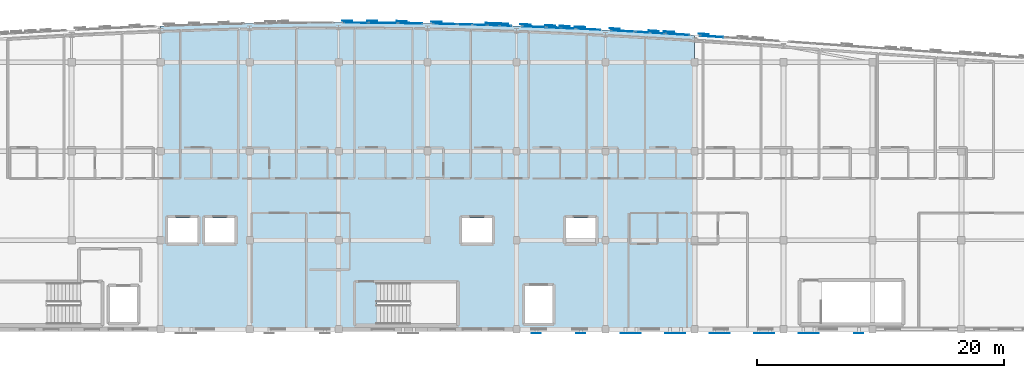
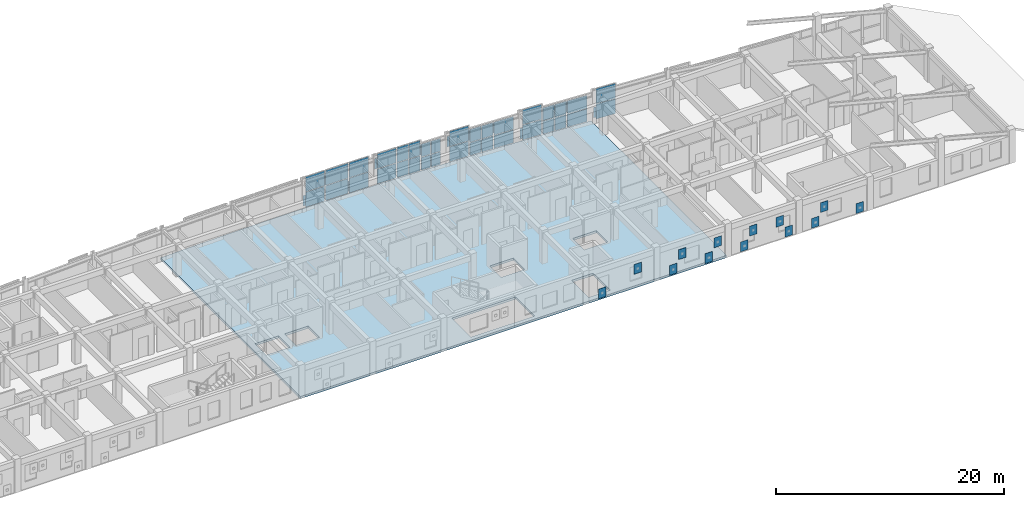
# One storey, part 31 of 45: 61 plates, 1 slab, 13 elements without a shape of their own.
"""IFC4 building model written with IfcOpenShell, lengths in metres."""

from ifc_helpers import new_model, si_unit, direction, frame, origin, origin_2d, place, context, subcontext, project, spatial, polyline, rectangle, outline, extrude, material, layer, layer_set, type_object, element, aggregate, save


model = new_model("IFC4")

# Units and contexts
model_context = context("Model", 3, precision=1e-05, world=origin(), true_north=direction((0.0, 1.0)))
body_context = subcontext(model_context, "Body", "Model", "MODEL_VIEW")
ifc_project = project(units=[si_unit("LENGTHUNIT", "METRE"), si_unit("AREAUNIT", "SQUARE_METRE"), si_unit("VOLUMEUNIT", "CUBIC_METRE"), si_unit("PLANEANGLEUNIT", "RADIAN"), si_unit("MASSUNIT", "GRAM", prefix="KILO")], contexts=[model_context])

# Site, building, storey
site_placement = place(None, origin())
site = spatial("IfcSite", under=ifc_project, at=site_placement, CompositionType="ELEMENT")
building_placement = place(site_placement, origin())
building = spatial("IfcBuilding", under=site, at=building_placement, Name="Carrowvane Square Congress Hotel", CompositionType="ELEMENT")
storey_placement = place(building_placement, frame((0.0, 0.0, 33.60009765625)))
storey = spatial("IfcBuildingStorey", under=building, at=storey_placement, Name="L08", CompositionType="ELEMENT", Elevation=33.60009765625)

# Curtain wall, plates
ifc_material_1 = material(Name="Anodised aluminium", Category="aluminium")
ifc_layer_1 = layer(ifc_material_1, 0.221923828125)
ifc_layer_set_1 = layer_set([ifc_layer_1], Name="Anodised aluminium")
curtain_wall_type_1 = type_object("IfcCurtainWallType", Name="CW-SYS-6", PredefinedType="NOTDEFINED", material=ifc_layer_set_1)
curtain_wall_1_placement = place(storey_placement, origin())
curtain_wall_1 = element("IfcCurtainWall", 1, at=curtain_wall_1_placement, inside=storey, type_object=curtain_wall_type_1, Name="L08 unitised curtain wall 485", PredefinedType="NOTDEFINED")
ifc_material_2 = material(Name="Double-glazed low-E glass", Category="glass")
ifc_layer_2 = layer(ifc_material_2, 0.028076171875)
ifc_layer_set_2 = layer_set([ifc_layer_2], Name="Double-glazed low-E glass")
plate_type_1 = type_object("IfcPlateType", Name="CW-PAN-1", PredefinedType="CURTAIN_PANEL", material=ifc_layer_set_2)
plate_1_placement = place(storey_placement, frame((106.59619140625, 116.498291015625, 0.06982421875), z_axis=(0.0, 0.0, 1.0), x_axis=(0.99974644475, -0.022517686606, 0.0)))
plate_1 = element("IfcPlate", 2, at=plate_1_placement, type_object=plate_type_1, Name="CW-6 panel 1.1", PredefinedType="CURTAIN_PANEL", context=body_context, shape_type="SweptSolid", body=[
    extrude(rectangle(XDim=1.8681640625, YDim=0.028076171875, at=origin_2d()), origin(), (0.0, 0.0, 1.0), 1.574951171875),
])
plate_2_placement = place(storey_placement, frame((106.59619140625, 116.498291015625, 1.71484375), z_axis=(0.0, 0.0, 1.0), x_axis=(0.99974644475, -0.022517686606, 0.0)))
plate_2 = element("IfcPlate", 3, at=plate_2_placement, type_object=plate_type_1, Name="CW-6 panel 1.2", PredefinedType="CURTAIN_PANEL", context=body_context, shape_type="SweptSolid", body=[
    extrude(rectangle(XDim=1.8681640625, YDim=0.028076171875, at=origin_2d()), origin(), (0.0, 0.0, 1.0), 1.574951171875),
])
aggregate(curtain_wall_1, [plate_1, plate_2])

ifc_material_3 = material(Name="Anodised aluminium", Category="aluminium")
ifc_layer_3 = layer(ifc_material_3, 0.18603515625)
ifc_layer_set_3 = layer_set([ifc_layer_3], Name="Anodised aluminium")
curtain_wall_type_2 = type_object("IfcCurtainWallType", Name="CW-SYS-3", PredefinedType="NOTDEFINED", material=ifc_layer_set_3)
curtain_wall_2_placement = place(storey_placement, origin())
curtain_wall_2 = element("IfcCurtainWall", 4, at=curtain_wall_2_placement, inside=storey, type_object=curtain_wall_type_2, Name="L08 unitised curtain wall 490", PredefinedType="NOTDEFINED")
plate_3_placement = place(storey_placement, frame((118.2177734375, 116.067138671875, 0.06005859375), z_axis=(0.0, 0.0, 1.0), x_axis=(0.998732955299, -0.050323791596, 0.0)))
plate_3 = element("IfcPlate", 5, at=plate_3_placement, type_object=plate_type_1, Name="CW-3 panel 1.1", PredefinedType="CURTAIN_PANEL", context=body_context, shape_type="SweptSolid", body=[
    extrude(rectangle(XDim=1.91796875, YDim=0.028076171875, at=origin_2d()), origin(), (0.0, 0.0, 1.0), 1.377685546875),
])
plate_4_placement = place(storey_placement, frame((118.2177734375, 116.067138671875, 1.49755859375), z_axis=(0.0, 0.0, 1.0), x_axis=(0.998732955299, -0.050323791596, 0.0)))
plate_4 = element("IfcPlate", 6, at=plate_4_placement, type_object=plate_type_1, Name="CW-3 panel 1.2", PredefinedType="CURTAIN_PANEL", context=body_context, shape_type="SweptSolid", body=[
    extrude(rectangle(XDim=1.91796875, YDim=0.028076171875, at=origin_2d()), origin(), (0.0, 0.0, 1.0), 1.377685546875),
])
aggregate(curtain_wall_2, [plate_3, plate_4])

ifc_material_4 = material(Name="Anodised aluminium", Category="aluminium")
ifc_layer_4 = layer(ifc_material_4, 0.23388671875)
ifc_layer_set_4 = layer_set([ifc_layer_4], Name="Anodised aluminium")
curtain_wall_type_3 = type_object("IfcCurtainWallType", Name="CW-SYS-7", PredefinedType="NOTDEFINED", material=ifc_layer_set_4)
curtain_wall_3_placement = place(storey_placement, origin())
curtain_wall_3 = element("IfcCurtainWall", 7, at=curtain_wall_3_placement, inside=storey, type_object=curtain_wall_type_3, Name="L08 unitised curtain wall 486", PredefinedType="NOTDEFINED")
ifc_material_5 = material(Name="Double-glazed low-E glass", Category="glass")
ifc_layer_5 = layer(ifc_material_5, 0.031982421875)
ifc_layer_set_5 = layer_set([ifc_layer_5], Name="Double-glazed low-E glass")
plate_type_2 = type_object("IfcPlateType", Name="CW-PAN-2", PredefinedType="CURTAIN_PANEL", material=ifc_layer_set_5)
plate_5_placement = place(storey_placement, frame((108.215087890625, 116.4580078125, 0.06005859375), z_axis=(0.0, 0.0, 1.0), x_axis=(0.999589848065, -0.028638010501, 0.0)))
plate_5 = element("IfcPlate", 8, at=plate_5_placement, type_object=plate_type_2, Name="CW-7 panel 1.1", PredefinedType="CURTAIN_PANEL", context=body_context, shape_type="SweptSolid", body=[
    extrude(rectangle(XDim=1.110595703125, YDim=0.031982421875, at=origin_2d()), origin(), (0.0, 0.0, 1.0), 1.590087890625),
])
plate_6_placement = place(storey_placement, frame((108.215087890625, 116.4580078125, 1.7099609375), z_axis=(0.0, 0.0, 1.0), x_axis=(0.999589848065, -0.028638010501, 0.0)))
plate_6 = element("IfcPlate", 9, at=plate_6_placement, type_object=plate_type_2, Name="CW-7 panel 1.2", PredefinedType="CURTAIN_PANEL", context=body_context, shape_type="SweptSolid", body=[
    extrude(rectangle(XDim=1.110595703125, YDim=0.031982421875, at=origin_2d()), origin(), (0.0, 0.0, 1.0), 1.590087890625),
])
plate_7_placement = place(storey_placement, frame((109.385009765625, 116.424560546875, 0.06005859375), z_axis=(0.0, 0.0, 1.0), x_axis=(0.999589848065, -0.028638010501, 0.0)))
plate_7 = element("IfcPlate", 10, at=plate_7_placement, type_object=plate_type_2, Name="CW-7 panel 2.1", PredefinedType="CURTAIN_PANEL", context=body_context, shape_type="SweptSolid", body=[
    extrude(rectangle(XDim=1.110595703125, YDim=0.031982421875, at=origin_2d()), origin(), (0.0, 0.0, 1.0), 1.590087890625),
])
plate_8_placement = place(storey_placement, frame((109.385009765625, 116.424560546875, 1.7099609375), z_axis=(0.0, 0.0, 1.0), x_axis=(0.999589848065, -0.028638010501, 0.0)))
plate_8 = element("IfcPlate", 11, at=plate_8_placement, type_object=plate_type_2, Name="CW-7 panel 2.2", PredefinedType="CURTAIN_PANEL", context=body_context, shape_type="SweptSolid", body=[
    extrude(rectangle(XDim=1.110595703125, YDim=0.031982421875, at=origin_2d()), origin(), (0.0, 0.0, 1.0), 1.590087890625),
])
aggregate(curtain_wall_3, [plate_5, plate_6, plate_7, plate_8])

ifc_material_6 = material(Name="Anodised aluminium", Category="aluminium")
ifc_layer_6 = layer(ifc_material_6, 0.197998046875)
ifc_layer_set_6 = layer_set([ifc_layer_6], Name="Anodised aluminium")
curtain_wall_type_4 = type_object("IfcCurtainWallType", Name="CW-SYS-4", PredefinedType="NOTDEFINED", material=ifc_layer_set_6)
curtain_wall_4_placement = place(storey_placement, origin())
curtain_wall_4 = element("IfcCurtainWall", 12, at=curtain_wall_4_placement, inside=storey, type_object=curtain_wall_type_4, Name="L08 unitised curtain wall 491", PredefinedType="NOTDEFINED")
plate_9_placement = place(storey_placement, frame((121.002197265625, 115.920654296875, 0.06982421875), z_axis=(0.0, 0.0, 1.0), x_axis=(0.998496473856, -0.054815980317, 0.0)))
plate_9 = element("IfcPlate", 13, at=plate_9_placement, type_object=plate_type_2, Name="CW-4 panel 1.1", PredefinedType="CURTAIN_PANEL", context=body_context, shape_type="SweptSolid", body=[
    extrude(rectangle(XDim=1.8583984375, YDim=0.031982421875, at=origin_2d()), origin(), (0.0, 0.0, 1.0), 1.574951171875),
])
plate_10_placement = place(storey_placement, frame((121.002197265625, 115.920654296875, 1.71484375), z_axis=(0.0, 0.0, 1.0), x_axis=(0.998496473856, -0.054815980317, 0.0)))
plate_10 = element("IfcPlate", 14, at=plate_10_placement, type_object=plate_type_2, Name="CW-4 panel 1.2", PredefinedType="CURTAIN_PANEL", context=body_context, shape_type="SweptSolid", body=[
    extrude(rectangle(XDim=1.8583984375, YDim=0.031982421875, at=origin_2d()), origin(), (0.0, 0.0, 1.0), 1.574951171875),
])
aggregate(curtain_wall_4, [plate_9, plate_10])

curtain_wall_5_placement = place(storey_placement, origin())
curtain_wall_5 = element("IfcCurtainWall", 15, at=curtain_wall_5_placement, inside=storey, type_object=curtain_wall_type_2, Name="L08 unitised curtain wall 482", PredefinedType="NOTDEFINED")
ifc_material_7 = material(Name="Double-glazed low-E glass", Category="glass")
ifc_layer_7 = layer(ifc_material_7, 0.035888671875)
ifc_layer_set_7 = layer_set([ifc_layer_7], Name="Double-glazed low-E glass")
plate_type_3 = type_object("IfcPlateType", Name="CW-PAN-3", PredefinedType="CURTAIN_PANEL", material=ifc_layer_set_7)
plate_11_placement = place(storey_placement, frame((99.392333984375, 116.595458984375, 0.06005859375), z_axis=(0.0, 0.0, 1.0), x_axis=(0.999994652529, -0.003270307911, 0.0)))
plate_11 = element("IfcPlate", 16, at=plate_11_placement, type_object=plate_type_3, Name="CW-3 panel 1.1", PredefinedType="CURTAIN_PANEL", context=body_context, shape_type="SweptSolid", body=[
    extrude(rectangle(XDim=1.89501953125, YDim=0.035888671875, at=origin_2d()), origin(), (0.0, 0.0, 1.0), 1.590087890625),
])
plate_12_placement = place(storey_placement, frame((99.392333984375, 116.595458984375, 1.7099609375), z_axis=(0.0, 0.0, 1.0), x_axis=(0.999994652529, -0.003270307911, 0.0)))
plate_12 = element("IfcPlate", 17, at=plate_12_placement, type_object=plate_type_3, Name="CW-3 panel 1.2", PredefinedType="CURTAIN_PANEL", context=body_context, shape_type="SweptSolid", body=[
    extrude(rectangle(XDim=1.89501953125, YDim=0.035888671875, at=origin_2d()), origin(), (0.0, 0.0, 1.0), 1.590087890625),
])
aggregate(curtain_wall_5, [plate_11, plate_12])

ifc_material_8 = material(Name="Anodised aluminium", Category="aluminium")
ifc_layer_8 = layer(ifc_material_8, 0.24609375)
ifc_layer_set_8 = layer_set([ifc_layer_8], Name="Anodised aluminium")
curtain_wall_type_5 = type_object("IfcCurtainWallType", Name="CW-SYS-8", PredefinedType="NOTDEFINED", material=ifc_layer_set_8)
curtain_wall_6_placement = place(storey_placement, origin())
curtain_wall_6 = element("IfcCurtainWall", 18, at=curtain_wall_6_placement, inside=storey, type_object=curtain_wall_type_5, Name="L08 unitised curtain wall 487", PredefinedType="NOTDEFINED")
plate_13_placement = place(storey_placement, frame((110.52490234375, 116.388916015625, 0.06982421875), z_axis=(0.0, 0.0, 1.0), x_axis=(0.999403663525, -0.034529948347, 0.0)))
plate_13 = element("IfcPlate", 19, at=plate_13_placement, type_object=plate_type_3, Name="CW-8 panel 1.1", PredefinedType="CURTAIN_PANEL", context=body_context, shape_type="SweptSolid", body=[
    extrude(rectangle(XDim=0.910400390625, YDim=0.035888671875, at=origin_2d()), origin(), (0.0, 0.0, 1.0), 1.36279296875),
])
plate_14_placement = place(storey_placement, frame((110.52490234375, 116.388916015625, 1.502685546875), z_axis=(0.0, 0.0, 1.0), x_axis=(0.999403663525, -0.034529948347, 0.0)))
plate_14 = element("IfcPlate", 20, at=plate_14_placement, type_object=plate_type_3, Name="CW-8 panel 1.2", PredefinedType="CURTAIN_PANEL", context=body_context, shape_type="SweptSolid", body=[
    extrude(rectangle(XDim=0.910400390625, YDim=0.035888671875, at=origin_2d()), origin(), (0.0, 0.0, 1.0), 1.36279296875),
])
plate_15_placement = place(storey_placement, frame((111.504638671875, 116.35498046875, 0.06982421875), z_axis=(0.0, 0.0, 1.0), x_axis=(0.999403663525, -0.034529948347, 0.0)))
plate_15 = element("IfcPlate", 21, at=plate_15_placement, type_object=plate_type_3, Name="CW-8 panel 2.1", PredefinedType="CURTAIN_PANEL", context=body_context, shape_type="SweptSolid", body=[
    extrude(rectangle(XDim=0.910400390625, YDim=0.035888671875, at=origin_2d()), origin(), (0.0, 0.0, 1.0), 1.36279296875),
])
plate_16_placement = place(storey_placement, frame((111.504638671875, 116.35498046875, 1.502685546875), z_axis=(0.0, 0.0, 1.0), x_axis=(0.999403663525, -0.034529948347, 0.0)))
plate_16 = element("IfcPlate", 22, at=plate_16_placement, type_object=plate_type_3, Name="CW-8 panel 2.2", PredefinedType="CURTAIN_PANEL", context=body_context, shape_type="SweptSolid", body=[
    extrude(rectangle(XDim=0.910400390625, YDim=0.035888671875, at=origin_2d()), origin(), (0.0, 0.0, 1.0), 1.36279296875),
])
aggregate(curtain_wall_6, [plate_13, plate_14, plate_15, plate_16])

ifc_material_9 = material(Name="Anodised aluminium", Category="aluminium")
ifc_layer_9 = layer(ifc_material_9, 0.2099609375)
ifc_layer_set_9 = layer_set([ifc_layer_9], Name="Anodised aluminium")
curtain_wall_type_6 = type_object("IfcCurtainWallType", Name="CW-SYS-5", PredefinedType="NOTDEFINED", material=ifc_layer_set_9)
curtain_wall_7_placement = place(storey_placement, origin())
curtain_wall_7 = element("IfcCurtainWall", 23, at=curtain_wall_7_placement, inside=storey, type_object=curtain_wall_type_6, Name="L08 unitised curtain wall 492", PredefinedType="NOTDEFINED")
plate_17_placement = place(storey_placement, frame((122.614990234375, 115.82958984375, 0.06005859375), z_axis=(0.0, 0.0, 1.0), x_axis=(0.998266763162, -0.058851249486, 0.0)))
plate_17 = element("IfcPlate", 24, at=plate_17_placement, type_object=plate_type_3, Name="CW-5 panel 1.1", PredefinedType="CURTAIN_PANEL", context=body_context, shape_type="SweptSolid", body=[
    extrude(rectangle(XDim=1.112060546875, YDim=0.035888671875, at=origin_2d()), origin(), (0.0, 0.0, 1.0), 1.377685546875),
])
plate_18_placement = place(storey_placement, frame((122.614990234375, 115.82958984375, 1.49755859375), z_axis=(0.0, 0.0, 1.0), x_axis=(0.998266763162, -0.058851249486, 0.0)))
plate_18 = element("IfcPlate", 25, at=plate_18_placement, type_object=plate_type_3, Name="CW-5 panel 1.2", PredefinedType="CURTAIN_PANEL", context=body_context, shape_type="SweptSolid", body=[
    extrude(rectangle(XDim=1.112060546875, YDim=0.035888671875, at=origin_2d()), origin(), (0.0, 0.0, 1.0), 1.377685546875),
])
plate_19_placement = place(storey_placement, frame((123.78515625, 115.760498046875, 0.06005859375), z_axis=(0.0, 0.0, 1.0), x_axis=(0.998266763162, -0.058851249486, 0.0)))
plate_19 = element("IfcPlate", 26, at=plate_19_placement, type_object=plate_type_3, Name="CW-5 panel 2.1", PredefinedType="CURTAIN_PANEL", context=body_context, shape_type="SweptSolid", body=[
    extrude(rectangle(XDim=1.112060546875, YDim=0.035888671875, at=origin_2d()), origin(), (0.0, 0.0, 1.0), 1.377685546875),
])
plate_20_placement = place(storey_placement, frame((123.78515625, 115.760498046875, 1.49755859375), z_axis=(0.0, 0.0, 1.0), x_axis=(0.998266763162, -0.058851249486, 0.0)))
plate_20 = element("IfcPlate", 27, at=plate_20_placement, type_object=plate_type_3, Name="CW-5 panel 2.2", PredefinedType="CURTAIN_PANEL", context=body_context, shape_type="SweptSolid", body=[
    extrude(rectangle(XDim=1.112060546875, YDim=0.035888671875, at=origin_2d()), origin(), (0.0, 0.0, 1.0), 1.377685546875),
])
aggregate(curtain_wall_7, [plate_17, plate_18, plate_19, plate_20])

curtain_wall_8_placement = place(storey_placement, origin())
curtain_wall_8 = element("IfcCurtainWall", 28, at=curtain_wall_8_placement, inside=storey, type_object=curtain_wall_type_4, Name="L08 unitised curtain wall 483", PredefinedType="NOTDEFINED")
ifc_material_10 = material(Name="Double-glazed low-E glass", Category="glass")
ifc_layer_10 = layer(ifc_material_10, 0.0419921875)
ifc_layer_set_10 = layer_set([ifc_layer_10], Name="Double-glazed low-E glass")
plate_type_4 = type_object("IfcPlateType", Name="CW-PAN-4", PredefinedType="CURTAIN_PANEL", material=ifc_layer_set_10)
plate_21_placement = place(storey_placement, frame((101.60009765625, 116.580322265625, 0.06982421875), z_axis=(0.0, 0.0, 1.0), x_axis=(0.999952146231, -0.009782905924, 0.0)))
plate_21 = element("IfcPlate", 29, at=plate_21_placement, type_object=plate_type_4, Name="CW-4 panel 1.1", PredefinedType="CURTAIN_PANEL", context=body_context, shape_type="SweptSolid", body=[
    extrude(rectangle(XDim=2.260009765625, YDim=0.0419921875, at=origin_2d()), origin(), (0.0, 0.0, 1.0), 1.574951171875),
])
plate_22_placement = place(storey_placement, frame((101.60009765625, 116.580322265625, 1.71484375), z_axis=(0.0, 0.0, 1.0), x_axis=(0.999952146231, -0.009782905924, 0.0)))
plate_22 = element("IfcPlate", 30, at=plate_22_placement, type_object=plate_type_4, Name="CW-4 panel 1.2", PredefinedType="CURTAIN_PANEL", context=body_context, shape_type="SweptSolid", body=[
    extrude(rectangle(XDim=2.260009765625, YDim=0.0419921875, at=origin_2d()), origin(), (0.0, 0.0, 1.0), 1.574951171875),
])
aggregate(curtain_wall_8, [plate_21, plate_22])

ifc_material_11 = material(Name="Anodised aluminium", Category="aluminium")
ifc_layer_11 = layer(ifc_material_11, 0.162109375)
ifc_layer_set_11 = layer_set([ifc_layer_11], Name="Anodised aluminium")
curtain_wall_type_7 = type_object("IfcCurtainWallType", Name="CW-SYS-1", PredefinedType="NOTDEFINED", material=ifc_layer_set_11)
curtain_wall_9_placement = place(storey_placement, origin())
curtain_wall_9 = element("IfcCurtainWall", 31, at=curtain_wall_9_placement, inside=storey, type_object=curtain_wall_type_7, Name="L08 unitised curtain wall 488", PredefinedType="NOTDEFINED")
plate_23_placement = place(storey_placement, frame((113.79931640625, 116.267822265625, 0.06005859375), z_axis=(0.0, 0.0, 1.0), x_axis=(0.999194428656, -0.040130957403, 0.0)))
plate_23 = element("IfcPlate", 32, at=plate_23_placement, type_object=plate_type_4, Name="CW-1 panel 1.1", PredefinedType="CURTAIN_PANEL", context=body_context, shape_type="SweptSolid", body=[
    extrude(rectangle(XDim=1.8828125, YDim=0.0419921875, at=origin_2d()), origin(), (0.0, 0.0, 1.0), 1.590087890625),
])
plate_24_placement = place(storey_placement, frame((113.79931640625, 116.267822265625, 1.7099609375), z_axis=(0.0, 0.0, 1.0), x_axis=(0.999194428656, -0.040130957403, 0.0)))
plate_24 = element("IfcPlate", 33, at=plate_24_placement, type_object=plate_type_4, Name="CW-1 panel 1.2", PredefinedType="CURTAIN_PANEL", context=body_context, shape_type="SweptSolid", body=[
    extrude(rectangle(XDim=1.8828125, YDim=0.0419921875, at=origin_2d()), origin(), (0.0, 0.0, 1.0), 1.590087890625),
])
aggregate(curtain_wall_9, [plate_23, plate_24])

curtain_wall_10_placement = place(storey_placement, origin())
curtain_wall_10 = element("IfcCurtainWall", 34, at=curtain_wall_10_placement, inside=storey, type_object=curtain_wall_type_1, Name="L08 unitised curtain wall 493", PredefinedType="NOTDEFINED")
plate_25_placement = place(storey_placement, frame((125.419921875, 115.66064453125, 0.06982421875), z_axis=(0.0, 0.0, 1.0), x_axis=(0.998051398046, -0.062397170272, 0.0)))
plate_25 = element("IfcPlate", 35, at=plate_25_placement, type_object=plate_type_4, Name="CW-6 panel 1.1", PredefinedType="CURTAIN_PANEL", context=body_context, shape_type="SweptSolid", body=[
    extrude(rectangle(XDim=1.904052734375, YDim=0.0419921875, at=origin_2d()), origin(), (0.0, 0.0, 1.0), 1.36279296875),
])
plate_26_placement = place(storey_placement, frame((125.419921875, 115.66064453125, 1.502685546875), z_axis=(0.0, 0.0, 1.0), x_axis=(0.998051398046, -0.062397170272, 0.0)))
plate_26 = element("IfcPlate", 36, at=plate_26_placement, type_object=plate_type_4, Name="CW-6 panel 1.2", PredefinedType="CURTAIN_PANEL", context=body_context, shape_type="SweptSolid", body=[
    extrude(rectangle(XDim=1.904052734375, YDim=0.0419921875, at=origin_2d()), origin(), (0.0, 0.0, 1.0), 1.36279296875),
])
aggregate(curtain_wall_10, [plate_25, plate_26])

curtain_wall_11_placement = place(storey_placement, origin())
curtain_wall_11 = element("IfcCurtainWall", 37, at=curtain_wall_11_placement, inside=storey, type_object=curtain_wall_type_6, Name="L08 unitised curtain wall 484", PredefinedType="NOTDEFINED")
ifc_material_12 = material(Name="Double-glazed low-E glass", Category="glass")
ifc_layer_12 = layer(ifc_material_12, 0.048095703125)
ifc_layer_set_12 = layer_set([ifc_layer_12], Name="Double-glazed low-E glass")
plate_type_5 = type_object("IfcPlateType", Name="CW-PAN-5", PredefinedType="CURTAIN_PANEL", material=ifc_layer_set_12)
plate_27_placement = place(storey_placement, frame((103.811279296875, 116.55224609375, 0.06005859375), z_axis=(0.0, 0.0, 1.0), x_axis=(0.99986851233, -0.016215981364, 0.0)))
plate_27 = element("IfcPlate", 38, at=plate_27_placement, type_object=plate_type_5, Name="CW-5 panel 1.1", PredefinedType="CURTAIN_PANEL", context=body_context, shape_type="SweptSolid", body=[
    extrude(rectangle(XDim=1.902587890625, YDim=0.048095703125, at=origin_2d()), origin(), (0.0, 0.0, 1.0), 1.590087890625),
])
plate_28_placement = place(storey_placement, frame((103.811279296875, 116.55224609375, 1.7099609375), z_axis=(0.0, 0.0, 1.0), x_axis=(0.99986851233, -0.016215981364, 0.0)))
plate_28 = element("IfcPlate", 39, at=plate_28_placement, type_object=plate_type_5, Name="CW-5 panel 1.2", PredefinedType="CURTAIN_PANEL", context=body_context, shape_type="SweptSolid", body=[
    extrude(rectangle(XDim=1.902587890625, YDim=0.048095703125, at=origin_2d()), origin(), (0.0, 0.0, 1.0), 1.590087890625),
])
aggregate(curtain_wall_11, [plate_27, plate_28])

ifc_material_13 = material(Name="Anodised aluminium", Category="aluminium")
ifc_layer_13 = layer(ifc_material_13, 0.174072265625)
ifc_layer_set_13 = layer_set([ifc_layer_13], Name="Anodised aluminium")
curtain_wall_type_8 = type_object("IfcCurtainWallType", Name="CW-SYS-2", PredefinedType="NOTDEFINED", material=ifc_layer_set_13)
curtain_wall_12_placement = place(storey_placement, origin())
curtain_wall_12 = element("IfcCurtainWall", 40, at=curtain_wall_12_placement, inside=storey, type_object=curtain_wall_type_8, Name="L08 unitised curtain wall 489", PredefinedType="NOTDEFINED")
plate_29_placement = place(storey_placement, frame((115.41748046875, 116.199462890625, 0.06982421875), z_axis=(0.0, 0.0, 1.0), x_axis=(0.998968385726, -0.045411059449, 0.0)))
plate_29 = element("IfcPlate", 41, at=plate_29_placement, type_object=plate_type_5, Name="CW-2 panel 1.1", PredefinedType="CURTAIN_PANEL", context=body_context, shape_type="SweptSolid", body=[
    extrude(rectangle(XDim=1.09619140625, YDim=0.048095703125, at=origin_2d()), origin(), (0.0, 0.0, 1.0), 1.36279296875),
])
plate_30_placement = place(storey_placement, frame((115.41748046875, 116.199462890625, 1.502685546875), z_axis=(0.0, 0.0, 1.0), x_axis=(0.998968385726, -0.045411059449, 0.0)))
plate_30 = element("IfcPlate", 42, at=plate_30_placement, type_object=plate_type_5, Name="CW-2 panel 1.2", PredefinedType="CURTAIN_PANEL", context=body_context, shape_type="SweptSolid", body=[
    extrude(rectangle(XDim=1.09619140625, YDim=0.048095703125, at=origin_2d()), origin(), (0.0, 0.0, 1.0), 1.36279296875),
])
plate_31_placement = place(storey_placement, frame((116.58251953125, 116.146484375, 0.06982421875), z_axis=(0.0, 0.0, 1.0), x_axis=(0.998968385726, -0.045411059449, 0.0)))
plate_31 = element("IfcPlate", 43, at=plate_31_placement, type_object=plate_type_5, Name="CW-2 panel 2.1", PredefinedType="CURTAIN_PANEL", context=body_context, shape_type="SweptSolid", body=[
    extrude(rectangle(XDim=1.09619140625, YDim=0.048095703125, at=origin_2d()), origin(), (0.0, 0.0, 1.0), 1.36279296875),
])
plate_32_placement = place(storey_placement, frame((116.58251953125, 116.146484375, 1.502685546875), z_axis=(0.0, 0.0, 1.0), x_axis=(0.998968385726, -0.045411059449, 0.0)))
plate_32 = element("IfcPlate", 44, at=plate_32_placement, type_object=plate_type_5, Name="CW-2 panel 2.2", PredefinedType="CURTAIN_PANEL", context=body_context, shape_type="SweptSolid", body=[
    extrude(rectangle(XDim=1.09619140625, YDim=0.048095703125, at=origin_2d()), origin(), (0.0, 0.0, 1.0), 1.36279296875),
])
aggregate(curtain_wall_12, [plate_29, plate_30, plate_31, plate_32])

curtain_wall_13_placement = place(storey_placement, origin())
curtain_wall_13 = element("IfcCurtainWall", 45, at=curtain_wall_13_placement, inside=storey, type_object=curtain_wall_type_3, Name="L08 unitised curtain wall 494", PredefinedType="NOTDEFINED")
plate_33_placement = place(storey_placement, frame((128.204345703125, 115.482177734375, 0.06005859375), z_axis=(0.0, 0.0, 1.0), x_axis=(0.9978582145, -0.065413941589, 0.0)))
plate_33 = element("IfcPlate", 46, at=plate_33_placement, type_object=plate_type_5, Name="CW-7 panel 1.1", PredefinedType="CURTAIN_PANEL", context=body_context, shape_type="SweptSolid", body=[
    extrude(rectangle(XDim=1.8759765625, YDim=0.048095703125, at=origin_2d()), origin(), (0.0, 0.0, 1.0), 1.590087890625),
])
plate_34_placement = place(storey_placement, frame((128.204345703125, 115.482177734375, 1.7099609375), z_axis=(0.0, 0.0, 1.0), x_axis=(0.9978582145, -0.065413941589, 0.0)))
plate_34 = element("IfcPlate", 47, at=plate_34_placement, type_object=plate_type_5, Name="CW-7 panel 1.2", PredefinedType="CURTAIN_PANEL", context=body_context, shape_type="SweptSolid", body=[
    extrude(rectangle(XDim=1.8759765625, YDim=0.048095703125, at=origin_2d()), origin(), (0.0, 0.0, 1.0), 1.590087890625),
])
aggregate(curtain_wall_13, [plate_33, plate_34])

# Plates
ifc_material_14 = material(Name="Champagne-gold anodised aluminium", Category="aluminium")
ifc_layer_14 = layer(ifc_material_14, 0.011962890625)
ifc_layer_set_14 = layer_set([ifc_layer_14], Name="Champagne-gold anodised aluminium")
plate_type_6 = type_object("IfcPlateType", Name="PLT-PIX-GOLD12", PredefinedType="SHEET", material=ifc_layer_set_14)
for number, where, z_axis, x_axis, name in (
    (48, (100.726318359375, 116.7548828125, 1.58984375), (0.0, 0.0, 1.0), (0.999952150705, -0.009782448565, 0.0), "Champagne-gold pixel screen plate 789"),
    (49, (105.920654296875, 116.679443359375, 1.58984375), (0.0, 0.0, 1.0), (0.999746418061, -0.022518871507, 0.0), "Champagne-gold pixel screen plate 791"),
    (50, (110.330322265625, 116.5615234375, 1.58984375), (0.0, 0.0, 1.0), (0.999403768784, -0.034526901703, 0.0), "Champagne-gold pixel screen plate 792"),
    (51, (111.31005859375, 116.52783203125, 0.119873046875), (0.0, 0.0, 1.0), (0.999403768784, -0.034526901703, 0.0), "Champagne-gold pixel screen plate 793"),
    (52, (115.132080078125, 116.378662109375, 1.58984375), (0.0, 0.0, 1.0), (0.998968255262, -0.045413929349, 0.0), "Champagne-gold pixel screen plate 795"),
    (53, (116.297119140625, 116.32568359375, 0.119873046875), (0.0, 0.0, 1.0), (0.998968255262, -0.045413929349, 0.0), "Champagne-gold pixel screen plate 796"),
    (54, (120.337890625, 116.123291015625, 0.119873046875), (0.0, 0.0, 1.0), (0.998496552462, -0.054814548441, 0.0), "Champagne-gold pixel screen plate 798"),
    (55, (124.734619140625, 115.86962890625, 1.58984375), (0.0, 0.0, 1.0), (0.998051413269, -0.062396926785, 0.0), "Champagne-gold pixel screen plate 800"),
):
    element("IfcPlate", number, at=place(storey_placement, frame(where, z_axis=z_axis, x_axis=x_axis)), inside=storey, type_object=plate_type_6, Name=name, PredefinedType="SHEET", context=body_context, shape_type="SweptSolid", body=[
        extrude(rectangle(XDim=0.827880859375, YDim=0.011962890625, at=origin_2d()), origin(), (0.0, 0.0, 1.0), 1.1201171875),
    ])
for number, where, z_axis, x_axis, name in (
    (56, (132.89990234375, 91.468994140625, 0.15478515625), (0.0, 0.0, 1.0), (-1.0, 0.0, 0.0), "Champagne-gold pixel screen plate S-825"),
    (57, (132.0, 91.468994140625, 1.52490234375), (0.0, 0.0, 1.0), (-1.0, 0.0, 0.0), "Champagne-gold pixel screen plate S-826"),
    (58, (129.300048828125, 91.468994140625, 1.52490234375), (0.0, 0.0, 1.0), (-1.0, 0.0, 0.0), "Champagne-gold pixel screen plate S-827"),
    (59, (128.39990234375, 91.468994140625, 0.15478515625), (0.0, 0.0, 1.0), (-1.0, 0.0, 0.0), "Champagne-gold pixel screen plate S-828"),
    (60, (117.60009765625, 91.468994140625, 1.52490234375), (0.0, 0.0, 1.0), (-1.0, 0.0, 0.0), "Champagne-gold pixel screen plate S-833"),
    (61, (114.0, 91.468994140625, 0.15478515625), (0.0, 0.0, 1.0), (-1.0, 0.0, 0.0), "Champagne-gold pixel screen plate S-834"),
):
    element("IfcPlate", number, at=place(storey_placement, frame(where, z_axis=z_axis, x_axis=x_axis)), inside=storey, type_object=plate_type_6, Name=name, PredefinedType="SHEET", context=body_context, shape_type="SweptSolid", body=[
        extrude(rectangle(XDim=0.738037109375, YDim=0.011962890625, at=origin_2d()), origin(), (0.0, 0.0, 1.0), 1.050048828125),
    ])
ifc_material_15 = material(Name="Champagne-gold anodised aluminium", Category="aluminium")
ifc_layer_15 = layer(ifc_material_15, 0.008056640625)
ifc_layer_set_15 = layer_set([ifc_layer_15], Name="Champagne-gold anodised aluminium")
plate_type_7 = type_object("IfcPlateType", Name="PLT-PIX-GOLD8", PredefinedType="SHEET", material=ifc_layer_set_15)
for number, where, z_axis, x_axis, name in (
    (62, (98.705322265625, 116.76171875, 0.119873046875), (0.0, 0.0, 1.0), (0.999994654955, -0.003269565853, 0.0), "Champagne-gold pixel screen plate 788"),
    (63, (103.122314453125, 116.7275390625, 0.119873046875), (0.0, 0.0, 1.0), (0.999868508772, -0.016216200758, 0.0), "Champagne-gold pixel screen plate 790"),
    (64, (113.125, 116.458984375, 1.58984375), (0.0, 0.0, 1.0), (0.999194294234, -0.040134304148, 0.0), "Champagne-gold pixel screen plate 794"),
    (65, (117.527587890625, 116.26611328125, 1.58984375), (0.0, 0.0, 1.0), (0.998733066647, -0.050321581706, 0.0), "Champagne-gold pixel screen plate 797"),
    (66, (123.4990234375, 115.941650390625, 1.58984375), (0.0, 0.0, 1.0), (0.998266695506, -0.05885239709, 0.0), "Champagne-gold pixel screen plate 799"),
    (67, (127.538330078125, 115.690185546875, 0.119873046875), (0.0, 0.0, 1.0), (0.99785825325, -0.065413350476, 0.0), "Champagne-gold pixel screen plate 801"),
):
    element("IfcPlate", number, at=place(storey_placement, frame(where, z_axis=z_axis, x_axis=x_axis)), inside=storey, type_object=plate_type_7, Name=name, PredefinedType="SHEET", context=body_context, shape_type="SweptSolid", body=[
        extrude(rectangle(XDim=0.827880859375, YDim=0.008056640625, at=origin_2d()), origin(), (0.0, 0.0, 1.0), 1.1201171875),
    ])
for number, where, z_axis, x_axis, name in (
    (68, (140.10009765625, 91.470947265625, 0.15478515625), (0.0, 0.0, 1.0), (-1.0, 0.0, 0.0), "Champagne-gold pixel screen plate S-822"),
    (69, (136.5, 91.470947265625, 1.52490234375), (0.0, 0.0, 1.0), (-1.0, 0.0, 0.0), "Champagne-gold pixel screen plate S-823"),
    (70, (135.60009765625, 91.470947265625, 0.15478515625), (0.0, 0.0, 1.0), (-1.0, 0.0, 0.0), "Champagne-gold pixel screen plate S-824"),
    (71, (125.699951171875, 91.470947265625, 1.52490234375), (0.0, 0.0, 1.0), (-1.0, 0.0, 0.0), "Champagne-gold pixel screen plate S-829"),
    (72, (124.800048828125, 91.470947265625, 0.15478515625), (0.0, 0.0, 1.0), (-1.0, 0.0, 0.0), "Champagne-gold pixel screen plate S-830"),
    (73, (122.10009765625, 91.470947265625, 1.52490234375), (0.0, 0.0, 1.0), (-1.0, 0.0, 0.0), "Champagne-gold pixel screen plate S-831"),
    (74, (121.199951171875, 91.470947265625, 0.15478515625), (0.0, 0.0, 1.0), (-1.0, 0.0, 0.0), "Champagne-gold pixel screen plate S-832"),
):
    element("IfcPlate", number, at=place(storey_placement, frame(where, z_axis=z_axis, x_axis=x_axis)), inside=storey, type_object=plate_type_7, Name=name, PredefinedType="SHEET", context=body_context, shape_type="SweptSolid", body=[
        extrude(rectangle(XDim=0.738037109375, YDim=0.008056640625, at=origin_2d()), origin(), (0.0, 0.0, 1.0), 1.050048828125),
    ])

# Slab
ifc_material_16 = material(Name="Concrete C35/45", Category="concrete")
ifc_layer_16 = layer(ifc_material_16, 0.239990234375)
ifc_layer_set_16 = layer_set([ifc_layer_16], Name="Concrete C35/45")
slab_type = type_object("IfcSlabType", Name="SLB-FLR-240", PredefinedType="FLOOR", material=ifc_layer_set_16)
slab_placement = place(storey_placement, frame((0.0, 0.0, -0.239990234375)))
element("IfcSlab", 75, at=slab_placement, inside=storey, type_object=slab_type, Name="L08 Hotel Wing slab panel 2", PredefinedType="FLOOR", context=body_context, shape_type="SweptSolid", body=[
    extrude(outline(polyline([(83.60009765625, 91.800048828125), (126.800048828125, 91.800048828125), (126.800048828125, 115.57421875), (124.39990234375, 115.724365234375), (122.0, 115.86572265625), (119.60009765625, 115.99755859375), (117.199951171875, 116.118408203125), (114.800048828125, 116.2275390625), (112.39990234375, 116.323974609375), (110.0, 116.406982421875), (107.60009765625, 116.4755859375), (105.199951171875, 116.52978515625), (102.800048828125, 116.568603515625), (100.39990234375, 116.592041015625), (98.0, 116.60009765625), (95.60009765625, 116.592041015625), (93.199951171875, 116.568603515625), (90.800048828125, 116.52978515625), (88.39990234375, 116.4755859375), (86.0, 116.406982421875), (83.60009765625, 116.323974609375), (83.60009765625, 91.800048828125)]), holes=[polyline([(101.1201171875, 92.199951171875), (107.60009765625, 92.199951171875), (107.60009765625, 95.56005859375), (101.1201171875, 95.56005859375), (101.1201171875, 92.199951171875)]), polyline([(84.199951171875, 98.800048828125), (86.60009765625, 98.800048828125), (86.60009765625, 100.800048828125), (84.199951171875, 100.800048828125), (84.199951171875, 98.800048828125)]), polyline([(87.199951171875, 98.800048828125), (89.60009765625, 98.800048828125), (89.60009765625, 100.800048828125), (87.199951171875, 100.800048828125), (87.199951171875, 98.800048828125)]), polyline([(108.0, 98.800048828125), (110.39990234375, 98.800048828125), (110.39990234375, 100.800048828125), (108.0, 100.800048828125), (108.0, 98.800048828125)]), polyline([(116.39990234375, 98.800048828125), (118.800048828125, 98.800048828125), (118.800048828125, 100.800048828125), (116.39990234375, 100.800048828125), (116.39990234375, 98.800048828125)]), polyline([(113.10009765625, 92.300048828125), (115.300048828125, 92.300048828125), (115.300048828125, 95.300048828125), (113.10009765625, 95.300048828125), (113.10009765625, 92.300048828125)])]), origin(), (0.0, 0.0, 1.0), 0.239990234375),
])

save(model, "model.ifc")
